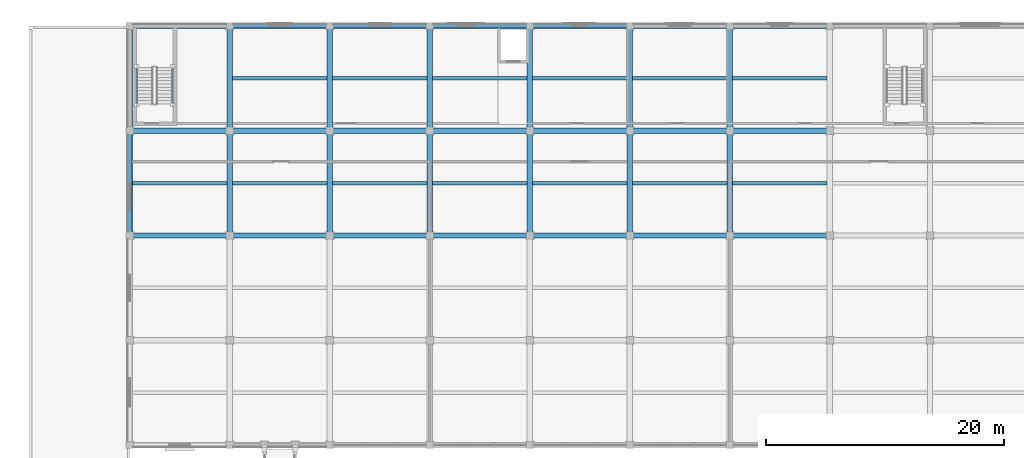
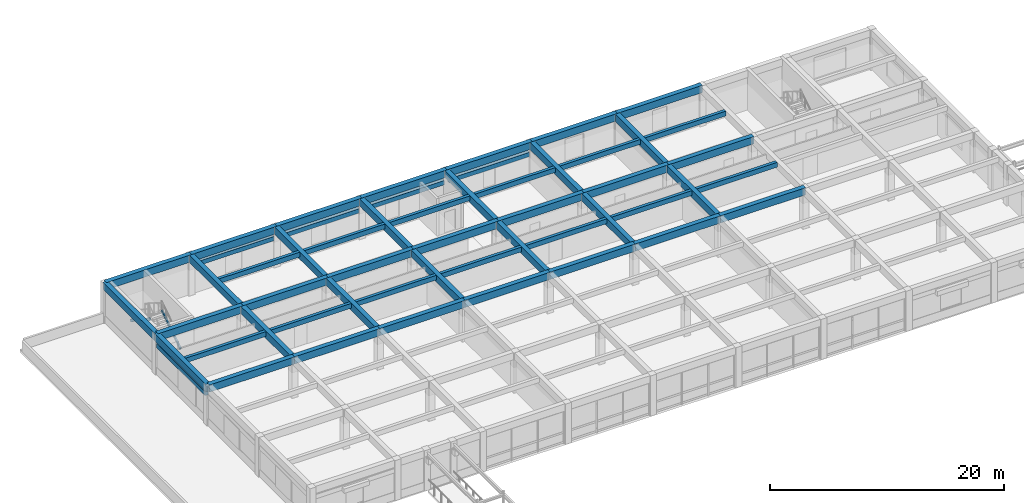
# One storey, part 19 of 57: 53 beams, 2 members.
"""IFC4 building model written with IfcOpenShell, lengths in metres."""

from ifc_helpers import new_model, si_unit, direction, frame, origin, origin_2d, place, context, subcontext, project, spatial, rectangle, hollow_rectangle, extrude, material, material_profile, profile_set, type_object, element, save


model = new_model("IFC4")

# Units and contexts
model_context = context("Model", 3, precision=1e-05, world=origin(), true_north=direction((0.0, 1.0)))
body_context = subcontext(model_context, "Body", "Model", "MODEL_VIEW")
ifc_project = project(units=[si_unit("LENGTHUNIT", "METRE"), si_unit("AREAUNIT", "SQUARE_METRE"), si_unit("VOLUMEUNIT", "CUBIC_METRE"), si_unit("PLANEANGLEUNIT", "RADIAN"), si_unit("MASSUNIT", "GRAM", prefix="KILO")], contexts=[model_context])

# Site, building, storey
site_placement = place(None, origin())
site = spatial("IfcSite", under=ifc_project, at=site_placement, CompositionType="ELEMENT")
building_placement = place(site_placement, origin())
building = spatial("IfcBuilding", under=site, at=building_placement, Name="Kemercrest Conservatory and Botanical Centre", CompositionType="ELEMENT")
storey_placement = place(building_placement, frame((0.0, 0.0, 4.800048828125)))
storey = spatial("IfcBuildingStorey", under=building, at=storey_placement, Name="L01", CompositionType="ELEMENT", Elevation=4.800048828125)

# Beams
ifc_material_1 = material(Name="Concrete C40/50", Category="concrete")
ifc_material_profile_1 = material_profile(ifc_material_1, rectangle(XDim=0.449951171875, YDim=0.75, at=origin_2d()), Name="RC 450x750")
ifc_profile_set_1 = profile_set([ifc_material_profile_1], Name="Concrete C40/50")
beam_type_1 = type_object("IfcBeamType", Name="BM-RC75", PredefinedType="BEAM", material=ifc_profile_set_1)
beam_1_placement = place(storey_placement, frame((16.39990234375, 104.800048828125, 3.824951171875), z_axis=(1.0, 0.0, 0.0), x_axis=(0.0, 1.0, 0.0)))
element("IfcBeam", 1, at=beam_1_placement, inside=storey, type_object=beam_type_1, Name="V3-L02 beam BM-RC75 M/02-03", PredefinedType="BEAM", context=body_context, shape_type="SweptSolid", body=[
    extrude(rectangle(XDim=0.449951171875, YDim=0.75, at=origin_2d()), origin(), (0.0, 0.0, 1.0), 8.400146484375),
])
beam_2_placement = place(storey_placement, frame((24.800048828125, 104.800048828125, 3.824951171875), z_axis=(1.0, 0.0, 0.0), x_axis=(0.0, 1.0, 0.0)))
element("IfcBeam", 2, at=beam_2_placement, inside=storey, type_object=beam_type_1, Name="V3-L02 beam BM-RC75 M/03-04", PredefinedType="BEAM", context=body_context, shape_type="SweptSolid", body=[
    extrude(rectangle(XDim=0.449951171875, YDim=0.75, at=origin_2d()), origin(), (0.0, 0.0, 1.0), 8.39990234375),
])
beam_3_placement = place(storey_placement, frame((33.199951171875, 104.800048828125, 3.824951171875), z_axis=(1.0, 0.0, 0.0), x_axis=(0.0, 1.0, 0.0)))
element("IfcBeam", 3, at=beam_3_placement, inside=storey, type_object=beam_type_1, Name="V3-L02 beam BM-RC75 M/04-05", PredefinedType="BEAM", context=body_context, shape_type="SweptSolid", body=[
    extrude(rectangle(XDim=0.449951171875, YDim=0.75, at=origin_2d()), origin(), (0.0, 0.0, 1.0), 8.400146484375),
])
for number, where, z_axis, x_axis, name in (
    (4, (41.60009765625, 104.800048828125, 3.824951171875), (1.0, 0.0, 0.0), (0.0, 1.0, 0.0), "V3-L02 beam BM-RC75 M/05-06"),
    (5, (50.0, 104.800048828125, 3.824951171875), (1.0, 0.0, 0.0), (0.0, 1.0, 0.0), "V3-L02 beam BM-RC75 M/06-07"),
):
    element("IfcBeam", number, at=place(storey_placement, frame(where, z_axis=z_axis, x_axis=x_axis)), inside=storey, type_object=beam_type_1, Name=name, PredefinedType="BEAM", context=body_context, shape_type="SweptSolid", body=[
        extrude(rectangle(XDim=0.449951171875, YDim=0.75, at=origin_2d()), origin(), (0.0, 0.0, 1.0), 8.39990234375),
    ])
beam_4_placement = place(storey_placement, frame((58.39990234375, 104.800048828125, 3.824951171875), z_axis=(1.0, 0.0, 0.0), x_axis=(0.0, 1.0, 0.0)))
element("IfcBeam", 6, at=beam_4_placement, inside=storey, type_object=beam_type_1, Name="V3-L02 beam BM-RC75 M/07-08", PredefinedType="BEAM", context=body_context, shape_type="SweptSolid", body=[
    extrude(rectangle(XDim=0.449951171875, YDim=0.75, at=origin_2d()), origin(), (0.0, 0.0, 1.0), 8.400146484375),
])
beam_5_placement = place(storey_placement, frame((66.800048828125, 104.800048828125, 3.824951171875), z_axis=(1.0, 0.0, 0.0), x_axis=(0.0, 1.0, 0.0)))
element("IfcBeam", 7, at=beam_5_placement, inside=storey, type_object=beam_type_1, Name="V3-L02 beam BM-RC75 M/08-09", PredefinedType="BEAM", context=body_context, shape_type="SweptSolid", body=[
    extrude(rectangle(XDim=0.449951171875, YDim=0.75, at=origin_2d()), origin(), (0.0, 0.0, 1.0), 8.39990234375),
])
beam_6_placement = place(storey_placement, frame((16.39990234375, 113.60009765625, 3.824951171875), z_axis=(1.0, 0.0, 0.0), x_axis=(0.0, 1.0, 0.0)))
element("IfcBeam", 8, at=beam_6_placement, inside=storey, type_object=beam_type_1, Name="V3-L02 beam BM-RC75 N/02-03", PredefinedType="BEAM", context=body_context, shape_type="SweptSolid", body=[
    extrude(rectangle(XDim=0.449951171875, YDim=0.75, at=origin_2d()), origin(), (0.0, 0.0, 1.0), 8.400146484375),
])
beam_7_placement = place(storey_placement, frame((24.800048828125, 113.60009765625, 3.824951171875), z_axis=(1.0, 0.0, 0.0), x_axis=(0.0, 1.0, 0.0)))
element("IfcBeam", 9, at=beam_7_placement, inside=storey, type_object=beam_type_1, Name="V3-L02 beam BM-RC75 N/03-04", PredefinedType="BEAM", context=body_context, shape_type="SweptSolid", body=[
    extrude(rectangle(XDim=0.449951171875, YDim=0.75, at=origin_2d()), origin(), (0.0, 0.0, 1.0), 8.39990234375),
])
beam_8_placement = place(storey_placement, frame((33.199951171875, 113.60009765625, 3.824951171875), z_axis=(1.0, 0.0, 0.0), x_axis=(0.0, 1.0, 0.0)))
element("IfcBeam", 10, at=beam_8_placement, inside=storey, type_object=beam_type_1, Name="V3-L02 beam BM-RC75 N/04-05", PredefinedType="BEAM", context=body_context, shape_type="SweptSolid", body=[
    extrude(rectangle(XDim=0.449951171875, YDim=0.75, at=origin_2d()), origin(), (0.0, 0.0, 1.0), 8.400146484375),
])
for number, where, z_axis, x_axis, name in (
    (11, (41.60009765625, 113.60009765625, 3.824951171875), (1.0, 0.0, 0.0), (0.0, 1.0, 0.0), "V3-L02 beam BM-RC75 N/05-06"),
    (12, (50.0, 113.60009765625, 3.824951171875), (1.0, 0.0, 0.0), (0.0, 1.0, 0.0), "V3-L02 beam BM-RC75 N/06-07"),
):
    element("IfcBeam", number, at=place(storey_placement, frame(where, z_axis=z_axis, x_axis=x_axis)), inside=storey, type_object=beam_type_1, Name=name, PredefinedType="BEAM", context=body_context, shape_type="SweptSolid", body=[
        extrude(rectangle(XDim=0.449951171875, YDim=0.75, at=origin_2d()), origin(), (0.0, 0.0, 1.0), 8.39990234375),
    ])
beam_9_placement = place(storey_placement, frame((58.39990234375, 113.60009765625, 3.824951171875), z_axis=(1.0, 0.0, 0.0), x_axis=(0.0, 1.0, 0.0)))
element("IfcBeam", 13, at=beam_9_placement, inside=storey, type_object=beam_type_1, Name="V3-L02 beam BM-RC75 N/07-08", PredefinedType="BEAM", context=body_context, shape_type="SweptSolid", body=[
    extrude(rectangle(XDim=0.449951171875, YDim=0.75, at=origin_2d()), origin(), (0.0, 0.0, 1.0), 8.400146484375),
])
beam_10_placement = place(storey_placement, frame((66.800048828125, 113.60009765625, 3.824951171875), z_axis=(1.0, 0.0, 0.0), x_axis=(0.0, 1.0, 0.0)))
element("IfcBeam", 14, at=beam_10_placement, inside=storey, type_object=beam_type_1, Name="V3-L02 beam BM-RC75 N/08-09", PredefinedType="BEAM", context=body_context, shape_type="SweptSolid", body=[
    extrude(rectangle(XDim=0.449951171875, YDim=0.75, at=origin_2d()), origin(), (0.0, 0.0, 1.0), 8.39990234375),
])
beam_11_placement = place(storey_placement, frame((24.800048828125, 104.800048828125, 3.824951171875), z_axis=(0.0, 1.0, 0.0), x_axis=(-1.0, 0.0, 0.0)))
element("IfcBeam", 15, at=beam_11_placement, inside=storey, type_object=beam_type_1, Name="V3-L02 beam BM-RC75 03/M-N", PredefinedType="BEAM", context=body_context, shape_type="SweptSolid", body=[
    extrude(rectangle(XDim=0.449951171875, YDim=0.75, at=origin_2d()), origin(), (0.0, 0.0, 1.0), 8.800048828125),
])
beam_12_placement = place(storey_placement, frame((24.800048828125, 113.60009765625, 3.824951171875), z_axis=(0.0, 1.0, 0.0), x_axis=(-1.0, 0.0, 0.0)))
element("IfcBeam", 16, at=beam_12_placement, inside=storey, type_object=beam_type_1, Name="V3-L02 beam BM-RC75 03/N-P", PredefinedType="BEAM", context=body_context, shape_type="SweptSolid", body=[
    extrude(rectangle(XDim=0.449951171875, YDim=0.75, at=origin_2d()), origin(), (0.0, 0.0, 1.0), 8.7998046875),
])
beam_13_placement = place(storey_placement, frame((33.199951171875, 104.800048828125, 3.824951171875), z_axis=(0.0, 1.0, 0.0), x_axis=(-1.0, 0.0, 0.0)))
element("IfcBeam", 17, at=beam_13_placement, inside=storey, type_object=beam_type_1, Name="V3-L02 beam BM-RC75 04/M-N", PredefinedType="BEAM", context=body_context, shape_type="SweptSolid", body=[
    extrude(rectangle(XDim=0.449951171875, YDim=0.75, at=origin_2d()), origin(), (0.0, 0.0, 1.0), 8.800048828125),
])
beam_14_placement = place(storey_placement, frame((33.199951171875, 113.60009765625, 3.824951171875), z_axis=(0.0, 1.0, 0.0), x_axis=(-1.0, 0.0, 0.0)))
element("IfcBeam", 18, at=beam_14_placement, inside=storey, type_object=beam_type_1, Name="V3-L02 beam BM-RC75 04/N-P", PredefinedType="BEAM", context=body_context, shape_type="SweptSolid", body=[
    extrude(rectangle(XDim=0.449951171875, YDim=0.75, at=origin_2d()), origin(), (0.0, 0.0, 1.0), 8.7998046875),
])
beam_15_placement = place(storey_placement, frame((41.60009765625, 104.800048828125, 3.824951171875), z_axis=(0.0, 1.0, 0.0), x_axis=(-1.0, 0.0, 0.0)))
element("IfcBeam", 19, at=beam_15_placement, inside=storey, type_object=beam_type_1, Name="V3-L02 beam BM-RC75 05/M-N", PredefinedType="BEAM", context=body_context, shape_type="SweptSolid", body=[
    extrude(rectangle(XDim=0.449951171875, YDim=0.75, at=origin_2d()), origin(), (0.0, 0.0, 1.0), 8.800048828125),
])
beam_16_placement = place(storey_placement, frame((41.60009765625, 113.60009765625, 3.824951171875), z_axis=(0.0, 1.0, 0.0), x_axis=(-1.0, 0.0, 0.0)))
element("IfcBeam", 20, at=beam_16_placement, inside=storey, type_object=beam_type_1, Name="V3-L02 beam BM-RC75 05/N-P", PredefinedType="BEAM", context=body_context, shape_type="SweptSolid", body=[
    extrude(rectangle(XDim=0.449951171875, YDim=0.75, at=origin_2d()), origin(), (0.0, 0.0, 1.0), 8.7998046875),
])
beam_17_placement = place(storey_placement, frame((50.0, 104.800048828125, 3.824951171875), z_axis=(0.0, 1.0, 0.0), x_axis=(-1.0, 0.0, 0.0)))
element("IfcBeam", 21, at=beam_17_placement, inside=storey, type_object=beam_type_1, Name="V3-L02 beam BM-RC75 06/M-N", PredefinedType="BEAM", context=body_context, shape_type="SweptSolid", body=[
    extrude(rectangle(XDim=0.449951171875, YDim=0.75, at=origin_2d()), origin(), (0.0, 0.0, 1.0), 8.800048828125),
])
beam_18_placement = place(storey_placement, frame((50.0, 113.60009765625, 3.824951171875), z_axis=(0.0, 1.0, 0.0), x_axis=(-1.0, 0.0, 0.0)))
element("IfcBeam", 22, at=beam_18_placement, inside=storey, type_object=beam_type_1, Name="V3-L02 beam BM-RC75 06/N-P", PredefinedType="BEAM", context=body_context, shape_type="SweptSolid", body=[
    extrude(rectangle(XDim=0.449951171875, YDim=0.75, at=origin_2d()), origin(), (0.0, 0.0, 1.0), 8.7998046875),
])
beam_19_placement = place(storey_placement, frame((58.39990234375, 104.800048828125, 3.824951171875), z_axis=(0.0, 1.0, 0.0), x_axis=(-1.0, 0.0, 0.0)))
element("IfcBeam", 23, at=beam_19_placement, inside=storey, type_object=beam_type_1, Name="V3-L02 beam BM-RC75 07/M-N", PredefinedType="BEAM", context=body_context, shape_type="SweptSolid", body=[
    extrude(rectangle(XDim=0.449951171875, YDim=0.75, at=origin_2d()), origin(), (0.0, 0.0, 1.0), 8.800048828125),
])
beam_20_placement = place(storey_placement, frame((58.39990234375, 113.60009765625, 3.824951171875), z_axis=(0.0, 1.0, 0.0), x_axis=(-1.0, 0.0, 0.0)))
element("IfcBeam", 24, at=beam_20_placement, inside=storey, type_object=beam_type_1, Name="V3-L02 beam BM-RC75 07/N-P", PredefinedType="BEAM", context=body_context, shape_type="SweptSolid", body=[
    extrude(rectangle(XDim=0.449951171875, YDim=0.75, at=origin_2d()), origin(), (0.0, 0.0, 1.0), 8.7998046875),
])
beam_21_placement = place(storey_placement, frame((66.800048828125, 104.800048828125, 3.824951171875), z_axis=(0.0, 1.0, 0.0), x_axis=(-1.0, 0.0, 0.0)))
element("IfcBeam", 25, at=beam_21_placement, inside=storey, type_object=beam_type_1, Name="V3-L02 beam BM-RC75 08/M-N", PredefinedType="BEAM", context=body_context, shape_type="SweptSolid", body=[
    extrude(rectangle(XDim=0.449951171875, YDim=0.75, at=origin_2d()), origin(), (0.0, 0.0, 1.0), 8.800048828125),
])
beam_22_placement = place(storey_placement, frame((66.800048828125, 113.60009765625, 3.824951171875), z_axis=(0.0, 1.0, 0.0), x_axis=(-1.0, 0.0, 0.0)))
element("IfcBeam", 26, at=beam_22_placement, inside=storey, type_object=beam_type_1, Name="V3-L02 beam BM-RC75 08/N-P", PredefinedType="BEAM", context=body_context, shape_type="SweptSolid", body=[
    extrude(rectangle(XDim=0.449951171875, YDim=0.75, at=origin_2d()), origin(), (0.0, 0.0, 1.0), 8.7998046875),
])
ifc_material_profile_2 = material_profile(ifc_material_1, rectangle(XDim=0.300048828125, YDim=0.5, at=origin_2d()), Name="RC 300x500")
ifc_profile_set_2 = profile_set([ifc_material_profile_2], Name="Concrete C40/50")
beam_type_2 = type_object("IfcBeamType", Name="JS-RC50", PredefinedType="JOIST", material=ifc_profile_set_2)
beam_23_placement = place(storey_placement, frame((16.625, 109.199951171875, 3.949951171875), z_axis=(1.0, 0.0, 0.0), x_axis=(0.0, 1.0, 0.0)))
element("IfcBeam", 27, at=beam_23_placement, inside=storey, type_object=beam_type_2, Name="V3-L02 secondary joist JS-RC50", PredefinedType="JOIST", context=body_context, shape_type="SweptSolid", body=[
    extrude(rectangle(XDim=0.300048828125, YDim=0.5, at=origin_2d()), origin(), (0.0, 0.0, 1.0), 7.949951171875),
])
beam_24_placement = place(storey_placement, frame((25.02490234375, 109.199951171875, 3.949951171875), z_axis=(1.0, 0.0, 0.0), x_axis=(0.0, 1.0, 0.0)))
element("IfcBeam", 28, at=beam_24_placement, inside=storey, type_object=beam_type_2, Name="V3-L02 secondary joist JS-RC50", PredefinedType="JOIST", context=body_context, shape_type="SweptSolid", body=[
    extrude(rectangle(XDim=0.300048828125, YDim=0.5, at=origin_2d()), origin(), (0.0, 0.0, 1.0), 7.9501953125),
])
for number, where, z_axis, x_axis, name in (
    (29, (33.425048828125, 109.199951171875, 3.949951171875), (1.0, 0.0, 0.0), (0.0, 1.0, 0.0), "V3-L02 secondary joist JS-RC50"),
    (30, (41.824951171875, 109.199951171875, 3.949951171875), (1.0, 0.0, 0.0), (0.0, 1.0, 0.0), "V3-L02 secondary joist JS-RC50"),
    (31, (50.22509765625, 109.199951171875, 3.949951171875), (1.0, 0.0, 0.0), (0.0, 1.0, 0.0), "V3-L02 secondary joist JS-RC50"),
    (32, (58.625, 109.199951171875, 3.949951171875), (1.0, 0.0, 0.0), (0.0, 1.0, 0.0), "V3-L02 secondary joist JS-RC50"),
):
    element("IfcBeam", number, at=place(storey_placement, frame(where, z_axis=z_axis, x_axis=x_axis)), inside=storey, type_object=beam_type_2, Name=name, PredefinedType="JOIST", context=body_context, shape_type="SweptSolid", body=[
        extrude(rectangle(XDim=0.300048828125, YDim=0.5, at=origin_2d()), origin(), (0.0, 0.0, 1.0), 7.949951171875),
    ])
for number, where, z_axis, x_axis, name in (
    (33, (67.02490234375, 109.199951171875, 3.949951171875), (1.0, 0.0, 0.0), (0.0, 1.0, 0.0), "V3-L02 secondary joist JS-RC50"),
    (34, (25.02490234375, 118.0, 3.949951171875), (1.0, 0.0, 0.0), (0.0, 1.0, 0.0), "V3-L02 secondary joist JS-RC50"),
):
    element("IfcBeam", number, at=place(storey_placement, frame(where, z_axis=z_axis, x_axis=x_axis)), inside=storey, type_object=beam_type_2, Name=name, PredefinedType="JOIST", context=body_context, shape_type="SweptSolid", body=[
        extrude(rectangle(XDim=0.300048828125, YDim=0.5, at=origin_2d()), origin(), (0.0, 0.0, 1.0), 7.9501953125),
    ])
for number, where, z_axis, x_axis, name in (
    (35, (33.425048828125, 118.0, 3.949951171875), (1.0, 0.0, 0.0), (0.0, 1.0, 0.0), "V3-L02 secondary joist JS-RC50"),
    (36, (41.824951171875, 118.0, 3.949951171875), (1.0, 0.0, 0.0), (0.0, 1.0, 0.0), "V3-L02 secondary joist JS-RC50"),
    (37, (50.22509765625, 118.0, 3.949951171875), (1.0, 0.0, 0.0), (0.0, 1.0, 0.0), "V3-L02 secondary joist JS-RC50"),
    (38, (58.625, 118.0, 3.949951171875), (1.0, 0.0, 0.0), (0.0, 1.0, 0.0), "V3-L02 secondary joist JS-RC50"),
):
    element("IfcBeam", number, at=place(storey_placement, frame(where, z_axis=z_axis, x_axis=x_axis)), inside=storey, type_object=beam_type_2, Name=name, PredefinedType="JOIST", context=body_context, shape_type="SweptSolid", body=[
        extrude(rectangle(XDim=0.300048828125, YDim=0.5, at=origin_2d()), origin(), (0.0, 0.0, 1.0), 7.949951171875),
    ])
beam_25_placement = place(storey_placement, frame((67.02490234375, 118.0, 3.949951171875), z_axis=(1.0, 0.0, 0.0), x_axis=(0.0, 1.0, 0.0)))
element("IfcBeam", 39, at=beam_25_placement, inside=storey, type_object=beam_type_2, Name="V3-L02 secondary joist JS-RC50", PredefinedType="JOIST", context=body_context, shape_type="SweptSolid", body=[
    extrude(rectangle(XDim=0.300048828125, YDim=0.5, at=origin_2d()), origin(), (0.0, 0.0, 1.0), 7.9501953125),
])
ifc_material_2 = material(Name="Precast concrete C40/50", Category="concrete")
ifc_material_profile_3 = material_profile(ifc_material_2, rectangle(XDim=0.35009765625, YDim=0.449951171875, at=origin_2d()), Name="RC 350x450")
ifc_profile_set_3 = profile_set([ifc_material_profile_3], Name="Precast concrete C40/50")
beam_type_3 = type_object("IfcBeamType", Name="LN-RC46", PredefinedType="LINTEL", material=ifc_profile_set_3)
for number, where, z_axis, x_axis, name in (
    (40, (58.14990234375, 122.39990234375, 2.925048828125), (-1.0, 0.0, 0.0), (0.0, -1.0, 0.0), "Precast arched window lintel (WIN:L01:EXT-108)"),
    (41, (49.75, 122.39990234375, 2.925048828125), (-1.0, 0.0, 0.0), (0.0, -1.0, 0.0), "Precast arched window lintel (WIN:L01:EXT-109)"),
):
    element("IfcBeam", number, at=place(storey_placement, frame(where, z_axis=z_axis, x_axis=x_axis)), inside=storey, type_object=beam_type_3, Name=name, PredefinedType="LINTEL", context=body_context, shape_type="SweptSolid", body=[
        extrude(rectangle(XDim=0.35009765625, YDim=0.449951171875, at=origin_2d()), origin(), (0.0, 0.0, 1.0), 7.89990234375),
    ])
beam_26_placement = place(storey_placement, frame((41.35009765625, 122.39990234375, 2.925048828125), z_axis=(-1.0, 0.0, 0.0), x_axis=(0.0, -1.0, 0.0)))
element("IfcBeam", 42, at=beam_26_placement, inside=storey, type_object=beam_type_3, Name="Precast arched window lintel (WIN:L01:EXT-110)", PredefinedType="LINTEL", context=body_context, shape_type="SweptSolid", body=[
    extrude(rectangle(XDim=0.35009765625, YDim=0.449951171875, at=origin_2d()), origin(), (0.0, 0.0, 1.0), 7.900146484375),
])
beam_27_placement = place(storey_placement, frame((32.949951171875, 122.39990234375, 2.974853515625), z_axis=(-1.0, 0.0, 0.0), x_axis=(0.0, -1.0, 0.0)))
element("IfcBeam", 43, at=beam_27_placement, inside=storey, type_object=beam_type_3, Name="Precast arched window lintel (WIN:L01:EXT-111)", PredefinedType="LINTEL", context=body_context, shape_type="SweptSolid", body=[
    extrude(rectangle(XDim=0.35009765625, YDim=0.449951171875, at=origin_2d()), origin(), (0.0, 0.0, 1.0), 7.89990234375),
])
beam_28_placement = place(storey_placement, frame((16.39990234375, 113.35009765625, 3.074951171875), z_axis=(0.0, -1.0, 0.0), x_axis=(1.0, 0.0, 0.0)))
element("IfcBeam", 44, at=beam_28_placement, inside=storey, type_object=beam_type_3, Name="Precast arched window lintel (WIN:L01:EXT-114)", PredefinedType="LINTEL", context=body_context, shape_type="SweptSolid", body=[
    extrude(rectangle(XDim=0.35009765625, YDim=0.449951171875, at=origin_2d()), origin(), (0.0, 0.0, 1.0), 8.300048828125),
])
ifc_material_profile_4 = material_profile(ifc_material_1, rectangle(XDim=0.449951171875, YDim=0.75, at=origin_2d()), Name="RC 450x750")
ifc_profile_set_4 = profile_set([ifc_material_profile_4], Name="Concrete C40/50")
beam_type_4 = type_object("IfcBeamType", Name="SP-RC75", PredefinedType="SPANDREL", material=ifc_profile_set_4)
beam_29_placement = place(storey_placement, frame((16.39990234375, 122.39990234375, 3.824951171875), z_axis=(1.0, 0.0, 0.0), x_axis=(0.0, 1.0, 0.0)))
element("IfcBeam", 45, at=beam_29_placement, inside=storey, type_object=beam_type_4, Name="V3-L02 beam SP-RC75 P/02-03", PredefinedType="SPANDREL", context=body_context, shape_type="SweptSolid", body=[
    extrude(rectangle(XDim=0.449951171875, YDim=0.75, at=origin_2d()), origin(), (0.0, 0.0, 1.0), 8.400146484375),
])
beam_30_placement = place(storey_placement, frame((24.800048828125, 122.39990234375, 3.824951171875), z_axis=(1.0, 0.0, 0.0), x_axis=(0.0, 1.0, 0.0)))
element("IfcBeam", 46, at=beam_30_placement, inside=storey, type_object=beam_type_4, Name="V3-L02 beam SP-RC75 P/03-04", PredefinedType="SPANDREL", context=body_context, shape_type="SweptSolid", body=[
    extrude(rectangle(XDim=0.449951171875, YDim=0.75, at=origin_2d()), origin(), (0.0, 0.0, 1.0), 8.39990234375),
])
beam_31_placement = place(storey_placement, frame((33.199951171875, 122.39990234375, 3.824951171875), z_axis=(1.0, 0.0, 0.0), x_axis=(0.0, 1.0, 0.0)))
element("IfcBeam", 47, at=beam_31_placement, inside=storey, type_object=beam_type_4, Name="V3-L02 beam SP-RC75 P/04-05", PredefinedType="SPANDREL", context=body_context, shape_type="SweptSolid", body=[
    extrude(rectangle(XDim=0.449951171875, YDim=0.75, at=origin_2d()), origin(), (0.0, 0.0, 1.0), 8.400146484375),
])
for number, where, z_axis, x_axis, name in (
    (48, (41.60009765625, 122.39990234375, 3.824951171875), (1.0, 0.0, 0.0), (0.0, 1.0, 0.0), "V3-L02 beam SP-RC75 P/05-06"),
    (49, (50.0, 122.39990234375, 3.824951171875), (1.0, 0.0, 0.0), (0.0, 1.0, 0.0), "V3-L02 beam SP-RC75 P/06-07"),
):
    element("IfcBeam", number, at=place(storey_placement, frame(where, z_axis=z_axis, x_axis=x_axis)), inside=storey, type_object=beam_type_4, Name=name, PredefinedType="SPANDREL", context=body_context, shape_type="SweptSolid", body=[
        extrude(rectangle(XDim=0.449951171875, YDim=0.75, at=origin_2d()), origin(), (0.0, 0.0, 1.0), 8.39990234375),
    ])
beam_32_placement = place(storey_placement, frame((58.39990234375, 122.39990234375, 3.824951171875), z_axis=(1.0, 0.0, 0.0), x_axis=(0.0, 1.0, 0.0)))
element("IfcBeam", 50, at=beam_32_placement, inside=storey, type_object=beam_type_4, Name="V3-L02 beam SP-RC75 P/07-08", PredefinedType="SPANDREL", context=body_context, shape_type="SweptSolid", body=[
    extrude(rectangle(XDim=0.449951171875, YDim=0.75, at=origin_2d()), origin(), (0.0, 0.0, 1.0), 8.400146484375),
])
beam_33_placement = place(storey_placement, frame((66.800048828125, 122.39990234375, 3.824951171875), z_axis=(1.0, 0.0, 0.0), x_axis=(0.0, 1.0, 0.0)))
element("IfcBeam", 51, at=beam_33_placement, inside=storey, type_object=beam_type_4, Name="V3-L02 beam SP-RC75 P/08-09", PredefinedType="SPANDREL", context=body_context, shape_type="SweptSolid", body=[
    extrude(rectangle(XDim=0.449951171875, YDim=0.75, at=origin_2d()), origin(), (0.0, 0.0, 1.0), 8.39990234375),
])
beam_34_placement = place(storey_placement, frame((16.39990234375, 104.800048828125, 3.824951171875), z_axis=(0.0, 1.0, 0.0), x_axis=(-1.0, 0.0, 0.0)))
element("IfcBeam", 52, at=beam_34_placement, inside=storey, type_object=beam_type_4, Name="V3-L02 beam SP-RC75 02/M-N", PredefinedType="SPANDREL", context=body_context, shape_type="SweptSolid", body=[
    extrude(rectangle(XDim=0.449951171875, YDim=0.75, at=origin_2d()), origin(), (0.0, 0.0, 1.0), 8.800048828125),
])
beam_35_placement = place(storey_placement, frame((16.39990234375, 113.60009765625, 3.824951171875), z_axis=(0.0, 1.0, 0.0), x_axis=(-1.0, 0.0, 0.0)))
element("IfcBeam", 53, at=beam_35_placement, inside=storey, type_object=beam_type_4, Name="V3-L02 beam SP-RC75 02/N-P", PredefinedType="SPANDREL", context=body_context, shape_type="SweptSolid", body=[
    extrude(rectangle(XDim=0.449951171875, YDim=0.75, at=origin_2d()), origin(), (0.0, 0.0, 1.0), 8.7998046875),
])

# Members
ifc_material_3 = material(Name="Steel CSA G40.21 350W", Category="steel")
ifc_material_profile_5 = material_profile(ifc_material_3, hollow_rectangle(XDim=0.15234375, YDim=0.25390625, WallThickness=0.009521484375, InnerFilletRadius=0.009521484375, OuterFilletRadius=0.01904296875, at=origin_2d()), Name="HSS 254x152x9.5")
ifc_profile_set_5 = profile_set([ifc_material_profile_5], Name="Steel CSA G40.21 350W")
member_type = type_object("IfcMemberType", Name="SR-STR254", PredefinedType="STRINGER", material=ifc_profile_set_5)
member_1_placement = place(storey_placement, frame((20.010009765625, 115.760009765625, -0.10009765625), z_axis=(0.0, 0.84150589802, 0.540247927898), x_axis=(-1.0, 0.0, 0.0)))
element("IfcMember", 54, at=member_1_placement, inside=storey, type_object=member_type, Name="Stair ST-V3A steel stringer #25", PredefinedType="STRINGER", context=body_context, shape_type="SweptSolid", body=[
    extrude(hollow_rectangle(XDim=0.15234375, YDim=0.25390625, WallThickness=0.009521484375, InnerFilletRadius=0.009521484375, OuterFilletRadius=0.01904296875, at=origin_2d()), origin(), (0.0, 0.0, 1.0), 3.850341796875),
])
member_2_placement = place(storey_placement, frame((16.989990234375, 115.760009765625, 4.079833984375), z_axis=(0.0, 0.841534725098, -0.540203023367), x_axis=(-1.0, 0.0, 0.0)))
element("IfcMember", 55, at=member_2_placement, inside=storey, type_object=member_type, Name="Stair ST-V3A steel stringer #26", PredefinedType="STRINGER", context=body_context, shape_type="SweptSolid", body=[
    extrude(hollow_rectangle(XDim=0.15234375, YDim=0.25390625, WallThickness=0.009521484375, InnerFilletRadius=0.009521484375, OuterFilletRadius=0.01904296875, at=origin_2d()), origin(), (0.0, 0.0, 1.0), 3.85009765625),
])

save(model, "model.ifc")
